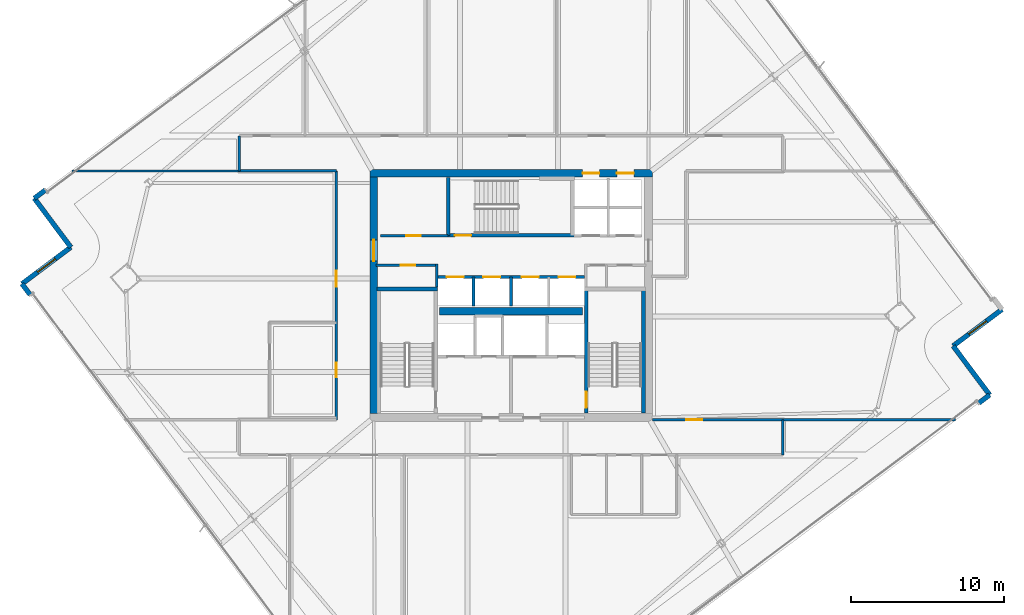
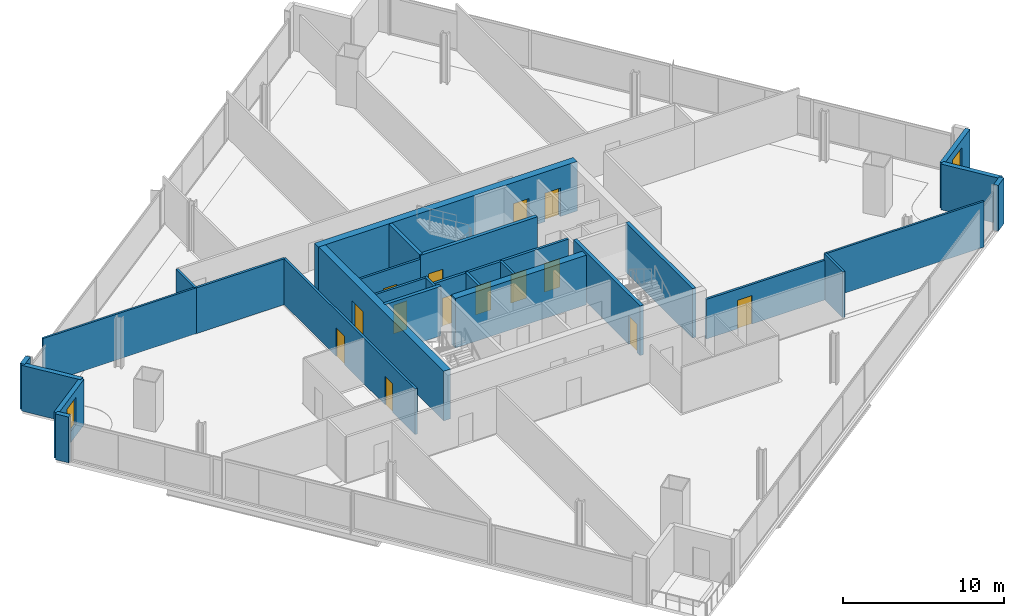
# One storey, part 25 of 32: 28 walls, 14 doors, 2 windows, 16 openings.
"""IFC4 building model written with IfcOpenShell, lengths in metres."""

from ifc_helpers import new_model, si_unit, direction, frame, frame_2d, origin, place, context, subcontext, project, spatial, rectangle, extrude, material, layer, layer_set, type_object, element, fill, save


model = new_model("IFC4")

# Units and contexts
model_context = context("Model", 3, precision=1e-05, world=origin(), true_north=direction((0.0, 1.0)))
body_context = subcontext(model_context, "Body", "Model", "MODEL_VIEW")
ifc_project = project(units=[si_unit("LENGTHUNIT", "METRE"), si_unit("AREAUNIT", "SQUARE_METRE"), si_unit("VOLUMEUNIT", "CUBIC_METRE"), si_unit("PLANEANGLEUNIT", "RADIAN"), si_unit("MASSUNIT", "GRAM", prefix="KILO")], contexts=[model_context])

# Site, building, storey
site_placement = place(None, origin())
site = spatial("IfcSite", under=ifc_project, at=site_placement, CompositionType="ELEMENT")
building_placement = place(site_placement, origin())
building = spatial("IfcBuilding", under=site, at=building_placement, Name="Haldenkirk Collegiate Tower", CompositionType="ELEMENT")
storey_placement = place(building_placement, frame((0.0, 0.0, 151.949951171875)))
storey = spatial("IfcBuildingStorey", under=building, at=storey_placement, Name="L37", CompositionType="ELEMENT", Elevation=151.949951171875)

# Wall, openings, doors
ifc_material_1 = material(Name="Concrete f'c 55 MPa", Category="concrete")
ifc_layer_1 = layer(ifc_material_1, 0.5)
ifc_layer_set_1 = layer_set([ifc_layer_1], Name="Concrete f'c 55 MPa")
wall_type_1 = type_object("IfcWallType", Name="WL-CORE-500", PredefinedType="SHEAR", material=ifc_layer_set_1)
wall_1_placement = place(storey_placement, frame((26.75, 34.0, 0.0), z_axis=(0.0, 0.0, 1.0), x_axis=(1.0, 0.0, 0.0)))
wall_1 = element("IfcWall", 1, at=wall_1_placement, inside=storey, type_object=wall_type_1, Name="L37 central core shear wall N", PredefinedType="SHEAR", context=body_context, shape_type="SweptSolid", body=[
    extrude(rectangle(XDim=18.5, YDim=0.5, at=frame_2d((9.25, 0.0))), origin(), (0.0, 0.0, 1.0), 3.75),
])
opening_1_placement = place(wall_1_placement, frame((13.93505859375, 0.0, 0.0)))
opening_1 = element("IfcOpeningElement", 2, at=opening_1_placement, cuts=wall_1, Name="Opening LD-11", PredefinedType="OPENING", context=body_context, shape_type="SweptSolid", body=[
    extrude(rectangle(XDim=1.10009765625, YDim=2.14990234375, at=frame_2d((0.550048828125, 1.074951171875))), frame((0.0, 0.260009765625, 0.0), z_axis=(0.0, -1.0, 0.0), x_axis=(1.0, 0.0, 0.0)), (0.0, 0.0, 1.0), 0.52001953125),
])
opening_2_placement = place(wall_1_placement, frame((16.18505859375, 0.0, 0.0)))
opening_2 = element("IfcOpeningElement", 3, at=opening_2_placement, cuts=wall_1, Name="Opening LD-11", PredefinedType="OPENING", context=body_context, shape_type="SweptSolid", body=[
    extrude(rectangle(XDim=1.10009765625, YDim=2.14990234375, at=frame_2d((0.550048828125, 1.074951171875))), frame((0.0, 0.260009765625, 0.0), z_axis=(0.0, -1.0, 0.0), x_axis=(1.0, 0.0, 0.0)), (0.0, 0.0, 1.0), 0.52001953125),
])
ifc_material_2 = material(Name="Brushed architectural stainless steel", Category="steel")
ifc_layer_2 = layer(ifc_material_2, 0.06005859375)
ifc_layer_set_2 = layer_set([ifc_layer_2], Name="Brushed architectural stainless steel")
door_type_1 = type_object("IfcDoorType", Name="LD-PASS-1100", OperationType="NOTDEFINED", PredefinedType="DOOR", material=ifc_layer_set_2)
door_1_placement = place(opening_1_placement, origin())
door_1 = element("IfcDoor", 4, at=door_1_placement, inside=storey, type_object=door_type_1, Name="L37 Elevator PM3 sliding landing door", OperationType="SLIDING_TO_LEFT", OverallHeight=2.14990234375, OverallWidth=1.10009765625, PredefinedType="DOOR", context=body_context, shape_type="SweptSolid", body=[
    extrude(rectangle(XDim=1.10009765625, YDim=2.14990234375, at=frame_2d((0.550048828125, 1.074951171875))), frame((0.0, 0.02490234375, 0.0), z_axis=(0.0, -1.0, 0.0), x_axis=(1.0, 0.0, 0.0)), (0.0, 0.0, 1.0), 0.050048828125),
])
fill(opening_1, door_1)
door_2_placement = place(opening_2_placement, origin())
door_2 = element("IfcDoor", 5, at=door_2_placement, inside=storey, type_object=door_type_1, Name="L37 Elevator PM4 sliding landing door", OperationType="SLIDING_TO_LEFT", OverallHeight=2.14990234375, OverallWidth=1.10009765625, PredefinedType="DOOR", context=body_context, shape_type="SweptSolid", body=[
    extrude(rectangle(XDim=1.10009765625, YDim=2.14990234375, at=frame_2d((0.550048828125, 1.074951171875))), frame((0.0, 0.02490234375, 0.0), z_axis=(0.0, -1.0, 0.0), x_axis=(1.0, 0.0, 0.0)), (0.0, 0.0, 1.0), 0.050048828125),
])
fill(opening_2, door_2)

# Wall, opening, door
wall_2_placement = place(storey_placement, frame((27.0, 18.25, 0.0), z_axis=(0.0, 0.0, 1.0), x_axis=(0.0, 1.0, 0.0)))
wall_2 = element("IfcWall", 6, at=wall_2_placement, inside=storey, type_object=wall_type_1, Name="L37 central core shear wall W", PredefinedType="SHEAR", context=body_context, shape_type="SweptSolid", body=[
    extrude(rectangle(XDim=15.5, YDim=0.5, at=frame_2d((7.75, 0.0))), origin(), (0.0, 0.0, 1.0), 3.75),
])
opening_3_placement = place(wall_2_placement, frame((9.989990234375, 0.0, 0.0)))
opening_3 = element("IfcOpeningElement", 7, at=opening_3_placement, cuts=wall_2, Name="Opening D-03", PredefinedType="OPENING", context=body_context, shape_type="SweptSolid", body=[
    extrude(rectangle(XDim=1.39990234375, YDim=2.199951171875, at=frame_2d((0.699951171875, 1.10009765625))), frame((0.0, 0.260009765625, 0.0), z_axis=(0.0, -1.0, 0.0), x_axis=(1.0, 0.0, 0.0)), (0.0, 0.0, 1.0), 0.52001953125),
])
ifc_material_3 = material(Name="Galvanized fire-rated hollow steel door", Category="steel")
ifc_layer_3 = layer(ifc_material_3, 0.06005859375)
ifc_layer_set_3 = layer_set([ifc_layer_3], Name="Galvanized fire-rated hollow steel door")
door_type_2 = type_object("IfcDoorType", Name="DR-LOBBY-FD90-1400", OperationType="NOTDEFINED", PredefinedType="DOOR", material=ifc_layer_set_3)
door_3_placement = place(opening_3_placement, origin())
door_3 = element("IfcDoor", 8, at=door_3_placement, inside=storey, type_object=door_type_2, Name="L37 west lift lobby portal", OperationType="DOUBLE_DOOR_SINGLE_SWING", OverallHeight=2.199951171875, OverallWidth=1.39990234375, PredefinedType="DOOR", context=body_context, shape_type="SweptSolid", body=[
    extrude(rectangle(XDim=1.39990234375, YDim=2.199951171875, at=frame_2d((0.699951171875, 1.10009765625))), frame((0.0, 0.02490234375, 0.0), z_axis=(0.0, -1.0, 0.0), x_axis=(1.0, 0.0, 0.0)), (0.0, 0.0, 1.0), 0.050048828125),
])
fill(opening_3, door_3)

# Walls
wall_3_placement = place(storey_placement, frame((31.31005859375, 24.949951171875, 0.0), z_axis=(0.0, 0.0, 1.0), x_axis=(1.0, 0.0, 0.0)))
element("IfcWall", 9, at=wall_3_placement, inside=storey, type_object=wall_type_1, Name="L37 central core spine shear wall", PredefinedType="SHEAR", context=body_context, shape_type="SweptSolid", body=[
    extrude(rectangle(XDim=9.3798828125, YDim=0.5, at=frame_2d((4.68994140625, 0.0))), origin(), (0.0, 0.0, 1.0), 3.75),
])
ifc_material_4 = material(Name="Precast concrete f'c 40 MPa", Category="concrete")
ifc_layer_4 = layer(ifc_material_4, 0.320068359375)
ifc_layer_set_4 = layer_set([ifc_layer_4], Name="Precast concrete f'c 40 MPa")
wall_type_2 = type_object("IfcWallType", Name="WL-EXT-TWR-320", PredefinedType="STANDARD", material=ifc_layer_set_4)
wall_4_placement = place(storey_placement, frame((67.35205078125, 19.481689453125, 0.0), z_axis=(0.0, 0.0, 1.0), x_axis=(-0.80078057117, -0.598957825591, 0.0)))
element("IfcWall", 10, at=wall_4_placement, inside=storey, type_object=wall_type_2, Name="L37 precast corner pier SL", PredefinedType="STANDARD", context=body_context, shape_type="SweptSolid", body=[
    extrude(rectangle(XDim=0.89990234375, YDim=0.320068359375, at=frame_2d((0.449951171875, 0.0))), origin(), (0.0, 0.0, 1.0), 3.4599609375),
])
wall_5_placement = place(storey_placement, frame((64.9560546875, 22.684814453125, 0.0), z_axis=(0.0, 0.0, 1.0), x_axis=(0.598983917125, -0.800761054888, 0.0)))
element("IfcWall", 11, at=wall_5_placement, inside=storey, type_object=wall_type_2, Name="L37 bronze precast notch wall 02", PredefinedType="STANDARD", context=body_context, shape_type="SweptSolid", body=[
    extrude(rectangle(XDim=4.0, YDim=0.320068359375, at=frame_2d((2.0, 0.0))), origin(), (0.0, 0.0, 1.0), 3.4599609375),
])

# Wall, opening, window
wall_6_placement = place(storey_placement, frame((68.158935546875, 25.080810546875, 0.0), z_axis=(0.0, 0.0, 1.0), x_axis=(-0.800739155536, -0.599013192502, 0.0)))
wall_6 = element("IfcWall", 12, at=wall_6_placement, inside=storey, type_object=wall_type_2, Name="L37 bronze precast notch wall 03", PredefinedType="STANDARD", context=body_context, shape_type="SweptSolid", body=[
    extrude(rectangle(XDim=4.0, YDim=0.320068359375, at=frame_2d((2.0, 0.0))), origin(), (0.0, 0.0, 1.0), 3.4599609375),
])
opening_4_placement = place(wall_6_placement, frame((1.27490234375, 0.0, 0.85009765625)))
opening_4 = element("IfcOpeningElement", 13, at=opening_4_placement, cuts=wall_6, Name="Opening W-05", PredefinedType="OPENING", context=body_context, shape_type="SweptSolid", body=[
    extrude(rectangle(XDim=1.449951171875, YDim=2.050048828125, at=frame_2d((0.72509765625, 1.02490234375))), frame((0.0, 0.169921875, 0.0), z_axis=(0.0, -1.0, 0.0), x_axis=(1.0, 0.0, 0.0)), (0.0, 0.0, 1.0), 0.340087890625),
])
ifc_material_5 = material(Name="Low-E argon triple insulating glass", Category="glass")
ifc_layer_5 = layer(ifc_material_5, 0.090087890625)
ifc_layer_set_5 = layer_set([ifc_layer_5], Name="Low-E argon triple insulating glass")
window_type = type_object("IfcWindowType", Name="WN-Z3-1450X2050", PartitioningType="SINGLE_PANEL", PredefinedType="WINDOW", material=ifc_layer_set_5)
window_1_placement = place(opening_4_placement, origin())
window_1 = element("IfcWindow", 14, at=window_1_placement, inside=storey, type_object=window_type, Name="L37 precast-frame academic window 2", OverallHeight=2.050048828125, OverallWidth=1.449951171875, PartitioningType="SINGLE_PANEL", PredefinedType="WINDOW", context=body_context, shape_type="SweptSolid", body=[
    extrude(rectangle(XDim=1.449951171875, YDim=2.050048828125, at=frame_2d((0.72509765625, 1.02490234375))), frame((0.0, 0.030029296875, 0.0), z_axis=(0.0, -1.0, 0.0), x_axis=(1.0, 0.0, 0.0)), (0.0, 0.0, 1.0), 0.06005859375),
])
fill(opening_4, window_1)

# Walls
wall_7_placement = place(storey_placement, frame((4.767578125, 32.358154296875, 0.0), z_axis=(0.0, 0.0, 1.0), x_axis=(0.80078057117, 0.598957825591, 0.0)))
element("IfcWall", 15, at=wall_7_placement, inside=storey, type_object=wall_type_2, Name="L37 precast corner pier NL", PredefinedType="STANDARD", context=body_context, shape_type="SweptSolid", body=[
    extrude(rectangle(XDim=0.89990234375, YDim=0.320068359375, at=frame_2d((0.449951171875, 0.0))), origin(), (0.0, 0.0, 1.0), 3.4599609375),
])
wall_8_placement = place(storey_placement, frame((7.163818359375, 29.1552734375, 0.0), z_axis=(0.0, 0.0, 1.0), x_axis=(-0.599052325998, 0.800709879243, 0.0)))
element("IfcWall", 16, at=wall_8_placement, inside=storey, type_object=wall_type_2, Name="L37 bronze precast notch wall 08", PredefinedType="STANDARD", context=body_context, shape_type="SweptSolid", body=[
    extrude(rectangle(XDim=4.0, YDim=0.320068359375, at=frame_2d((2.0, 0.0))), origin(), (0.0, 0.0, 1.0), 3.4599609375),
])

# Wall, opening, window
wall_9_placement = place(storey_placement, frame((3.9609375, 26.759033203125, 0.0), z_axis=(0.0, 0.0, 1.0), x_axis=(0.800709879243, 0.599052325998, 0.0)))
wall_9 = element("IfcWall", 17, at=wall_9_placement, inside=storey, type_object=wall_type_2, Name="L37 bronze precast notch wall 09", PredefinedType="STANDARD", context=body_context, shape_type="SweptSolid", body=[
    extrude(rectangle(XDim=4.0, YDim=0.320068359375, at=frame_2d((2.0, 0.0))), origin(), (0.0, 0.0, 1.0), 3.4599609375),
])
opening_5_placement = place(wall_9_placement, frame((1.27490234375, 0.0, 0.85009765625)))
opening_5 = element("IfcOpeningElement", 18, at=opening_5_placement, cuts=wall_9, Name="Opening W-05", PredefinedType="OPENING", context=body_context, shape_type="SweptSolid", body=[
    extrude(rectangle(XDim=1.449951171875, YDim=2.050048828125, at=frame_2d((0.72509765625, 1.02490234375))), frame((0.0, 0.169921875, 0.0), z_axis=(0.0, -1.0, 0.0), x_axis=(1.0, 0.0, 0.0)), (0.0, 0.0, 1.0), 0.340087890625),
])
window_2_placement = place(opening_5_placement, origin())
window_2 = element("IfcWindow", 19, at=window_2_placement, inside=storey, type_object=window_type, Name="L37 precast-frame academic window 8", OverallHeight=2.050048828125, OverallWidth=1.449951171875, PartitioningType="SINGLE_PANEL", PredefinedType="WINDOW", context=body_context, shape_type="SweptSolid", body=[
    extrude(rectangle(XDim=1.449951171875, YDim=2.050048828125, at=frame_2d((0.72509765625, 1.02490234375))), frame((0.0, 0.030029296875, 0.0), z_axis=(0.0, -1.0, 0.0), x_axis=(1.0, 0.0, 0.0)), (0.0, 0.0, 1.0), 0.06005859375),
])
fill(opening_5, window_2)

# Wall
wall_10_placement = place(storey_placement, frame((4.5, 26.038330078125, 0.0), z_axis=(0.0, 0.0, 1.0), x_axis=(-0.598957825591, 0.80078057117, 0.0)))
element("IfcWall", 20, at=wall_10_placement, inside=storey, type_object=wall_type_2, Name="L37 precast corner pier WR", PredefinedType="STANDARD", context=body_context, shape_type="SweptSolid", body=[
    extrude(rectangle(XDim=0.89990234375, YDim=0.320068359375, at=frame_2d((0.449951171875, 0.0))), origin(), (0.0, 0.0, 1.0), 3.4599609375),
])

# Wall, opening, door
ifc_material_6 = material(Name="Acoustic fire-rated gypsum partition", Category="concrete")
ifc_layer_6 = layer(ifc_material_6, 0.159912109375)
ifc_layer_set_6 = layer_set([ifc_layer_6], Name="Acoustic fire-rated gypsum partition")
wall_type_3 = type_object("IfcWallType", Name="WL-INT-CORR-160", PredefinedType="PARTITIONING", material=ifc_layer_set_6)
wall_11_placement = place(storey_placement, frame((27.14990234375, 27.97998046875, 0.0), z_axis=(0.0, 0.0, 1.0), x_axis=(1.0, 0.0, 0.0)))
wall_11 = element("IfcWall", 21, at=wall_11_placement, inside=storey, type_object=wall_type_3, Name="L37 interior partition IW-L37-VCSW-N", PredefinedType="PARTITIONING", context=body_context, shape_type="SweptSolid", body=[
    extrude(rectangle(XDim=4.050048828125, YDim=0.159912109375, at=frame_2d((2.02490234375, 0.0))), origin(), (0.0, 0.0, 1.0), 3.4599609375),
])
opening_6_placement = place(wall_11_placement, frame((1.625, 0.0, 0.0)))
opening_6 = element("IfcOpeningElement", 22, at=opening_6_placement, cuts=wall_11, Name="Opening D-10", PredefinedType="OPENING", context=body_context, shape_type="SweptSolid", body=[
    extrude(rectangle(XDim=0.949951171875, YDim=2.14990234375, at=frame_2d((0.47509765625, 1.074951171875))), frame((0.0, 0.08984375, 0.0), z_axis=(0.0, -1.0, 0.0), x_axis=(1.0, 0.0, 0.0)), (0.0, 0.0, 1.0), 0.179931640625),
])
ifc_material_7 = material(Name="Solid-core architectural oak fire door", Category="wood")
ifc_layer_7 = layer(ifc_material_7, 0.06005859375)
ifc_layer_set_7 = layer_set([ifc_layer_7], Name="Solid-core architectural oak fire door")
door_type_3 = type_object("IfcDoorType", Name="DR-INT-FD60-950", OperationType="NOTDEFINED", PredefinedType="DOOR", material=ifc_layer_set_7)
door_4_placement = place(opening_6_placement, origin())
door_4 = element("IfcDoor", 23, at=door_4_placement, inside=storey, type_object=door_type_3, Name="L37 core tea pantry door", OperationType="SINGLE_SWING_LEFT", OverallHeight=2.14990234375, OverallWidth=0.949951171875, PredefinedType="DOOR", context=body_context, shape_type="SweptSolid", body=[
    extrude(rectangle(XDim=0.949951171875, YDim=2.14990234375, at=frame_2d((0.47509765625, 1.074951171875))), frame((0.0, 0.02490234375, 0.0), z_axis=(0.0, -1.0, 0.0), x_axis=(1.0, 0.0, 0.0)), (0.0, 0.0, 1.0), 0.050048828125),
])
fill(opening_6, door_4)

# Wall
wall_12_placement = place(storey_placement, frame((31.1201171875, 26.5400390625, 0.0), z_axis=(0.0, 0.0, 1.0), x_axis=(0.0, 1.0, 0.0)))
element("IfcWall", 24, at=wall_12_placement, inside=storey, type_object=wall_type_3, Name="L37 interior partition IW-L37-VCSW-E", PredefinedType="PARTITIONING", context=body_context, shape_type="SweptSolid", body=[
    extrude(rectangle(XDim=1.510009765625, YDim=0.159912109375, at=frame_2d((0.7548828125, 0.0))), origin(), (0.0, 0.0, 1.0), 3.4599609375),
])

# Wall, opening, door
wall_13_placement = place(storey_placement, frame((27.449951171875, 29.89990234375, 0.0), z_axis=(0.0, 0.0, 1.0), x_axis=(1.0, 0.0, 0.0)))
wall_13 = element("IfcWall", 25, at=wall_13_placement, inside=storey, type_object=wall_type_3, Name="L37 interior partition IW-L37-PLS", PredefinedType="PARTITIONING", context=body_context, shape_type="SweptSolid", body=[
    extrude(rectangle(XDim=4.429931640625, YDim=0.159912109375, at=frame_2d((2.21484375, 0.0))), origin(), (0.0, 0.0, 1.0), 3.4599609375),
])
opening_7_placement = place(wall_13_placement, frame((1.675048828125, 0.0, 0.0)))
opening_7 = element("IfcOpeningElement", 26, at=opening_7_placement, cuts=wall_13, Name="Opening D-10", PredefinedType="OPENING", context=body_context, shape_type="SweptSolid", body=[
    extrude(rectangle(XDim=0.949951171875, YDim=2.14990234375, at=frame_2d((0.47509765625, 1.074951171875))), frame((0.0, 0.08984375, 0.0), z_axis=(0.0, -1.0, 0.0), x_axis=(1.0, 0.0, 0.0)), (0.0, 0.0, 1.0), 0.179931640625),
])
door_5_placement = place(opening_7_placement, origin())
door_5 = element("IfcDoor", 27, at=door_5_placement, inside=storey, type_object=door_type_3, Name="L37 archive door", OperationType="SINGLE_SWING_RIGHT", OverallHeight=2.14990234375, OverallWidth=0.949951171875, PredefinedType="DOOR", context=body_context, shape_type="SweptSolid", body=[
    extrude(rectangle(XDim=0.949951171875, YDim=2.14990234375, at=frame_2d((0.47509765625, 1.074951171875))), frame((0.0, 0.02490234375, 0.0), z_axis=(0.0, -1.0, 0.0), x_axis=(1.0, 0.0, 0.0)), (0.0, 0.0, 1.0), 0.050048828125),
])
fill(opening_7, door_5)

wall_14_placement = place(storey_placement, frame((45.25, 17.85009765625, 0.0), z_axis=(0.0, 0.0, 1.0), x_axis=(1.0, 0.0, 0.0)))
wall_14 = element("IfcWall", 28, at=wall_14_placement, inside=storey, type_object=wall_type_3, Name="L37 interior partition IW-L37-CSE", PredefinedType="PARTITIONING", context=body_context, shape_type="SweptSolid", body=[
    extrude(rectangle(XDim=8.550048828125, YDim=0.159912109375, at=frame_2d((4.27490234375, 0.0))), origin(), (0.0, 0.0, 1.0), 2.998046875),
])
opening_8_placement = place(wall_14_placement, frame((2.2109375, 0.0, 0.0)))
opening_8 = element("IfcOpeningElement", 29, at=opening_8_placement, cuts=wall_14, Name="Opening D-09", PredefinedType="OPENING", context=body_context, shape_type="SweptSolid", body=[
    extrude(rectangle(XDim=1.050048828125, YDim=2.14990234375, at=frame_2d((0.52490234375, 1.074951171875))), frame((0.0, 0.08984375, 0.0), z_axis=(0.0, -1.0, 0.0), x_axis=(1.0, 0.0, 0.0)), (0.0, 0.0, 1.0), 0.179931640625),
])
ifc_layer_8 = layer(ifc_material_7, 0.06005859375)
ifc_layer_set_8 = layer_set([ifc_layer_8], Name="Solid-core architectural oak fire door")
door_type_4 = type_object("IfcDoorType", Name="DR-INT-FD60-1050", OperationType="NOTDEFINED", PredefinedType="DOOR", material=ifc_layer_set_8)
door_6_placement = place(opening_8_placement, origin())
door_6 = element("IfcDoor", 30, at=door_6_placement, inside=storey, type_object=door_type_4, Name="L37 Graduate Seminar Room 10 door", OperationType="SINGLE_SWING_LEFT", OverallHeight=2.14990234375, OverallWidth=1.050048828125, PredefinedType="DOOR", context=body_context, shape_type="SweptSolid", body=[
    extrude(rectangle(XDim=1.050048828125, YDim=2.14990234375, at=frame_2d((0.52490234375, 1.074951171875))), frame((0.0, 0.02490234375, 0.0), z_axis=(0.0, -1.0, 0.0), x_axis=(1.0, 0.0, 0.0)), (0.0, 0.0, 1.0), 0.050048828125),
])
fill(opening_8, door_6)

# Wall
wall_15_placement = place(storey_placement, frame((18.199951171875, 34.14990234375, 0.0), z_axis=(0.0, 0.0, 1.0), x_axis=(1.0, 0.0, 0.0)))
element("IfcWall", 31, at=wall_15_placement, inside=storey, type_object=wall_type_3, Name="L37 interior partition IW-L37-CNW", PredefinedType="PARTITIONING", context=body_context, shape_type="SweptSolid", body=[
    extrude(rectangle(XDim=6.35009765625, YDim=0.159912109375, at=frame_2d((3.175048828125, 0.0))), origin(), (0.0, 0.0, 1.0), 3.4599609375),
])

# Wall, openings, doors
wall_16_placement = place(storey_placement, frame((24.550048828125, 17.85009765625, 0.0), z_axis=(0.0, 0.0, 1.0), x_axis=(0.0, 1.0, 0.0)))
wall_16 = element("IfcWall", 32, at=wall_16_placement, inside=storey, type_object=wall_type_3, Name="L37 interior partition IW-L37-CW", PredefinedType="PARTITIONING", context=body_context, shape_type="SweptSolid", body=[
    extrude(rectangle(XDim=16.2998046875, YDim=0.159912109375, at=frame_2d((8.14990234375, 0.0))), origin(), (0.0, 0.0, 1.0), 3.4599609375),
])
opening_9_placement = place(wall_16_placement, frame((2.77490234375, 0.0, 0.0)))
opening_9 = element("IfcOpeningElement", 33, at=opening_9_placement, cuts=wall_16, Name="Opening D-10", PredefinedType="OPENING", context=body_context, shape_type="SweptSolid", body=[
    extrude(rectangle(XDim=0.949951171875, YDim=2.14990234375, at=frame_2d((0.47509765625, 1.074951171875))), frame((0.0, 0.08984375, 0.0), z_axis=(0.0, -1.0, 0.0), x_axis=(1.0, 0.0, 0.0)), (0.0, 0.0, 1.0), 0.179931640625),
])
opening_10_placement = place(wall_16_placement, frame((8.72900390625, 0.0, 0.0)))
opening_10 = element("IfcOpeningElement", 34, at=opening_10_placement, cuts=wall_16, Name="Opening D-09", PredefinedType="OPENING", context=body_context, shape_type="SweptSolid", body=[
    extrude(rectangle(XDim=1.050048828125, YDim=2.14990234375, at=frame_2d((0.52490234375, 1.074951171875))), frame((0.0, 0.08984375, 0.0), z_axis=(0.0, -1.0, 0.0), x_axis=(1.0, 0.0, 0.0)), (0.0, 0.0, 1.0), 0.179931640625),
])
door_7_placement = place(opening_10_placement, origin())
door_7 = element("IfcDoor", 35, at=door_7_placement, inside=storey, type_object=door_type_4, Name="L37 Health Triage Clinic 9 door", OperationType="SINGLE_SWING_RIGHT", OverallHeight=2.14990234375, OverallWidth=1.050048828125, PredefinedType="DOOR", context=body_context, shape_type="SweptSolid", body=[
    extrude(rectangle(XDim=1.050048828125, YDim=2.14990234375, at=frame_2d((0.52490234375, 1.074951171875))), frame((0.0, 0.02490234375, 0.0), z_axis=(0.0, -1.0, 0.0), x_axis=(1.0, 0.0, 0.0)), (0.0, 0.0, 1.0), 0.050048828125),
])
fill(opening_10, door_7)
door_8_placement = place(opening_9_placement, origin())
door_8 = element("IfcDoor", 36, at=door_8_placement, inside=storey, type_object=door_type_3, Name="L37 West Faculty Tutorial Pod corridor door", OperationType="SINGLE_SWING_RIGHT", OverallHeight=2.14990234375, OverallWidth=0.949951171875, PredefinedType="DOOR", context=body_context, shape_type="SweptSolid", body=[
    extrude(rectangle(XDim=0.949951171875, YDim=2.14990234375, at=frame_2d((0.47509765625, 1.074951171875))), frame((0.0, 0.02490234375, 0.0), z_axis=(0.0, -1.0, 0.0), x_axis=(1.0, 0.0, 0.0)), (0.0, 0.0, 1.0), 0.050048828125),
])
fill(opening_9, door_8)

# Walls
for number, where, z_axis, x_axis, name in (
    (37, (53.800048828125, 15.550048828125, 0.0), (0.0, 0.0, 1.0), (0.0, 1.0, 0.0), "L37 interior partition IW-L37-CSR"),
    (38, (18.199951171875, 34.14990234375, 0.0), (0.0, 0.0, 1.0), (0.0, 1.0, 0.0), "L37 interior partition IW-L37-CNL"),
):
    element("IfcWall", number, at=place(storey_placement, frame(where, z_axis=z_axis, x_axis=x_axis)), inside=storey, type_object=wall_type_3, Name=name, PredefinedType="PARTITIONING", context=body_context, shape_type="SweptSolid", body=[
        extrude(rectangle(XDim=2.300048828125, YDim=0.159912109375, at=frame_2d((1.14990234375, 0.0))), origin(), (0.0, 0.0, 1.0), 3.4599609375),
    ])
ifc_layer_9 = layer(ifc_material_6, 0.139892578125)
ifc_layer_set_9 = layer_set([ifc_layer_9], Name="Acoustic fire-rated gypsum partition")
wall_type_4 = type_object("IfcWallType", Name="WL-INT-DIV-140", PredefinedType="PARTITIONING", material=ifc_layer_set_9)
wall_17_placement = place(storey_placement, frame((7.229736328125, 34.14990234375, 0.0), z_axis=(0.0, 0.0, 1.0), x_axis=(1.0, 0.0, 0.0)))
element("IfcWall", 39, at=wall_17_placement, inside=storey, type_object=wall_type_4, Name="L37 interior partition IW-L37-BWN", PredefinedType="PARTITIONING", context=body_context, shape_type="SweptSolid", body=[
    extrude(rectangle(XDim=10.97021484375, YDim=0.139892578125, at=frame_2d((5.485107421875, 0.0))), origin(), (0.0, 0.0, 1.0), 3.4599609375),
])
wall_18_placement = place(storey_placement, frame((53.800048828125, 17.85009765625, 0.0), z_axis=(0.0, 0.0, 1.0), x_axis=(1.0, 0.0, 0.0)))
element("IfcWall", 40, at=wall_18_placement, inside=storey, type_object=wall_type_4, Name="L37 interior partition IW-L37-BES", PredefinedType="PARTITIONING", context=body_context, shape_type="SweptSolid", body=[
    extrude(rectangle(XDim=11.30419921875, YDim=0.139892578125, at=frame_2d((5.652099609375, 0.0))), origin(), (0.0, 0.0, 1.0), 3.4599609375),
])

# Wall, openings, doors
ifc_material_8 = material(Name="Fire-rated gypsum shaftboard assembly", Category="concrete")
ifc_layer_10 = layer(ifc_material_8, 0.179931640625)
ifc_layer_set_10 = layer_set([ifc_layer_10], Name="Fire-rated gypsum shaftboard assembly")
wall_type_5 = type_object("IfcWallType", Name="WL-INT-SHAFT-180", PredefinedType="PARTITIONING", material=ifc_layer_set_10)
wall_19_placement = place(storey_placement, frame((31.199951171875, 27.199951171875, 0.0), z_axis=(0.0, 0.0, 1.0), x_axis=(1.0, 0.0, 0.0)))
wall_19 = element("IfcWall", 41, at=wall_19_placement, inside=storey, type_object=wall_type_5, Name="L37 interior partition IW-L37-PHN", PredefinedType="PARTITIONING", context=body_context, shape_type="SweptSolid", body=[
    extrude(rectangle(XDim=9.60009765625, YDim=0.179931640625, at=frame_2d((4.800048828125, 0.0))), origin(), (0.0, 0.0, 1.0), 3.4599609375),
])
opening_11_placement = place(wall_19_placement, frame((0.590087890625, 0.0, 0.0)))
opening_11 = element("IfcOpeningElement", 42, at=opening_11_placement, cuts=wall_19, Name="Opening LD-11", PredefinedType="OPENING", context=body_context, shape_type="SweptSolid", body=[
    extrude(rectangle(XDim=1.10009765625, YDim=2.14990234375, at=frame_2d((0.550048828125, 1.074951171875))), frame((0.0, 0.099853515625, 0.0), z_axis=(0.0, -1.0, 0.0), x_axis=(1.0, 0.0, 0.0)), (0.0, 0.0, 1.0), 0.199951171875),
])
opening_12_placement = place(wall_19_placement, frame((2.989990234375, 0.0, 0.0)))
opening_12 = element("IfcOpeningElement", 43, at=opening_12_placement, cuts=wall_19, Name="Opening LD-11", PredefinedType="OPENING", context=body_context, shape_type="SweptSolid", body=[
    extrude(rectangle(XDim=1.10009765625, YDim=2.14990234375, at=frame_2d((0.550048828125, 1.074951171875))), frame((0.0, 0.099853515625, 0.0), z_axis=(0.0, -1.0, 0.0), x_axis=(1.0, 0.0, 0.0)), (0.0, 0.0, 1.0), 0.199951171875),
])
opening_13_placement = place(wall_19_placement, frame((5.510009765625, 0.0, 0.0)))
opening_13 = element("IfcOpeningElement", 44, at=opening_13_placement, cuts=wall_19, Name="Opening LD-11", PredefinedType="OPENING", context=body_context, shape_type="SweptSolid", body=[
    extrude(rectangle(XDim=1.10009765625, YDim=2.14990234375, at=frame_2d((0.550048828125, 1.074951171875))), frame((0.0, 0.099853515625, 0.0), z_axis=(0.0, -1.0, 0.0), x_axis=(1.0, 0.0, 0.0)), (0.0, 0.0, 1.0), 0.199951171875),
])
opening_14_placement = place(wall_19_placement, frame((7.909912109375, 0.0, 0.0)))
opening_14 = element("IfcOpeningElement", 45, at=opening_14_placement, cuts=wall_19, Name="Opening LD-11", PredefinedType="OPENING", context=body_context, shape_type="SweptSolid", body=[
    extrude(rectangle(XDim=1.10009765625, YDim=2.14990234375, at=frame_2d((0.550048828125, 1.074951171875))), frame((0.0, 0.099853515625, 0.0), z_axis=(0.0, -1.0, 0.0), x_axis=(1.0, 0.0, 0.0)), (0.0, 0.0, 1.0), 0.199951171875),
])
door_9_placement = place(opening_11_placement, origin())
door_9 = element("IfcDoor", 46, at=door_9_placement, inside=storey, type_object=door_type_1, Name="L37 Elevator PH1 sliding landing door", OperationType="SLIDING_TO_LEFT", OverallHeight=2.14990234375, OverallWidth=1.10009765625, PredefinedType="DOOR", context=body_context, shape_type="SweptSolid", body=[
    extrude(rectangle(XDim=1.10009765625, YDim=2.14990234375, at=frame_2d((0.550048828125, 1.074951171875))), frame((0.0, 0.02490234375, 0.0), z_axis=(0.0, -1.0, 0.0), x_axis=(1.0, 0.0, 0.0)), (0.0, 0.0, 1.0), 0.050048828125),
])
fill(opening_11, door_9)
door_10_placement = place(opening_12_placement, origin())
door_10 = element("IfcDoor", 47, at=door_10_placement, inside=storey, type_object=door_type_1, Name="L37 Elevator PH2 sliding landing door", OperationType="SLIDING_TO_LEFT", OverallHeight=2.14990234375, OverallWidth=1.10009765625, PredefinedType="DOOR", context=body_context, shape_type="SweptSolid", body=[
    extrude(rectangle(XDim=1.10009765625, YDim=2.14990234375, at=frame_2d((0.550048828125, 1.074951171875))), frame((0.0, 0.02490234375, 0.0), z_axis=(0.0, -1.0, 0.0), x_axis=(1.0, 0.0, 0.0)), (0.0, 0.0, 1.0), 0.050048828125),
])
fill(opening_12, door_10)
door_11_placement = place(opening_13_placement, origin())
door_11 = element("IfcDoor", 48, at=door_11_placement, inside=storey, type_object=door_type_1, Name="L37 Elevator PH3 sliding landing door", OperationType="SLIDING_TO_LEFT", OverallHeight=2.14990234375, OverallWidth=1.10009765625, PredefinedType="DOOR", context=body_context, shape_type="SweptSolid", body=[
    extrude(rectangle(XDim=1.10009765625, YDim=2.14990234375, at=frame_2d((0.550048828125, 1.074951171875))), frame((0.0, 0.02490234375, 0.0), z_axis=(0.0, -1.0, 0.0), x_axis=(1.0, 0.0, 0.0)), (0.0, 0.0, 1.0), 0.050048828125),
])
fill(opening_13, door_11)
door_12_placement = place(opening_14_placement, origin())
door_12 = element("IfcDoor", 49, at=door_12_placement, inside=storey, type_object=door_type_1, Name="L37 Elevator PH4 sliding landing door", OperationType="SLIDING_TO_LEFT", OverallHeight=2.14990234375, OverallWidth=1.10009765625, PredefinedType="DOOR", context=body_context, shape_type="SweptSolid", body=[
    extrude(rectangle(XDim=1.10009765625, YDim=2.14990234375, at=frame_2d((0.550048828125, 1.074951171875))), frame((0.0, 0.02490234375, 0.0), z_axis=(0.0, -1.0, 0.0), x_axis=(1.0, 0.0, 0.0)), (0.0, 0.0, 1.0), 0.050048828125),
])
fill(opening_14, door_12)

# Walls
for number, where, z_axis, x_axis, name in (
    (50, (33.5400390625, 25.300048828125, 0.0), (0.0, 0.0, 1.0), (0.0, 1.0, 0.0), "L37 interior partition IW-L37-PHV1"),
    (51, (36.0, 25.300048828125, 0.0), (0.0, 0.0, 1.0), (0.0, 1.0, 0.0), "L37 interior partition IW-L37-PHV2"),
):
    element("IfcWall", number, at=place(storey_placement, frame(where, z_axis=z_axis, x_axis=x_axis)), inside=storey, type_object=wall_type_5, Name=name, PredefinedType="PARTITIONING", context=body_context, shape_type="SweptSolid", body=[
        extrude(rectangle(XDim=1.89990234375, YDim=0.179931640625, at=frame_2d((0.949951171875, 0.0))), origin(), (0.0, 0.0, 1.0), 3.4599609375),
    ])
ifc_layer_11 = layer(ifc_material_1, 0.239990234375)
ifc_layer_set_11 = layer_set([ifc_layer_11], Name="Concrete f'c 55 MPa")
wall_type_6 = type_object("IfcWallType", Name="WL-SHAFT-240", PredefinedType="SHEAR", material=ifc_layer_set_11)
wall_20_placement = place(storey_placement, frame((27.2099609375, 26.419921875, 0.0), z_axis=(0.0, 0.0, 1.0), x_axis=(1.0, 0.0, 0.0)))
element("IfcWall", 52, at=wall_20_placement, inside=storey, type_object=wall_type_6, Name="L37 stair shaft shear wall SW-L37-ST1N", PredefinedType="SHEAR", context=body_context, shape_type="SweptSolid", body=[
    extrude(rectangle(XDim=3.97998046875, YDim=0.239990234375, at=frame_2d((1.989990234375, 0.0))), origin(), (0.0, 0.0, 1.0), 3.75),
])

# Wall, opening, door
wall_21_placement = place(storey_placement, frame((40.929931640625, 18.280029296875, 0.0), z_axis=(0.0, 0.0, 1.0), x_axis=(0.0, 1.0, 0.0)))
wall_21 = element("IfcWall", 53, at=wall_21_placement, inside=storey, type_object=wall_type_6, Name="L37 stair shaft shear wall SW-L37-ST2W", PredefinedType="SHEAR", context=body_context, shape_type="SweptSolid", body=[
    extrude(rectangle(XDim=8.260009765625, YDim=0.239990234375, at=frame_2d((4.1298828125, 0.0))), origin(), (0.0, 0.0, 1.0), 3.75),
])
opening_15_placement = place(wall_21_placement, frame((0.364990234375, 0.0, 0.0)))
opening_15 = element("IfcOpeningElement", 54, at=opening_15_placement, cuts=wall_21, Name="Opening D-01", PredefinedType="OPENING", context=body_context, shape_type="SweptSolid", body=[
    extrude(rectangle(XDim=1.050048828125, YDim=2.14990234375, at=frame_2d((0.52490234375, 1.074951171875))), frame((0.0, 0.1298828125, 0.0), z_axis=(0.0, -1.0, 0.0), x_axis=(1.0, 0.0, 0.0)), (0.0, 0.0, 1.0), 0.260009765625),
])
ifc_layer_12 = layer(ifc_material_3, 0.06005859375)
ifc_layer_set_12 = layer_set([ifc_layer_12], Name="Galvanized fire-rated hollow steel door")
door_type_5 = type_object("IfcDoorType", Name="DR-STAIR-FD90-1050", OperationType="NOTDEFINED", PredefinedType="DOOR", material=ifc_layer_set_12)
door_13_placement = place(opening_15_placement, origin())
door_13 = element("IfcDoor", 55, at=door_13_placement, inside=storey, type_object=door_type_5, Name="L37 Stair 2 door", OperationType="SINGLE_SWING_RIGHT", OverallHeight=2.14990234375, OverallWidth=1.050048828125, PredefinedType="DOOR", context=body_context, shape_type="SweptSolid", body=[
    extrude(rectangle(XDim=1.050048828125, YDim=2.14990234375, at=frame_2d((0.52490234375, 1.074951171875))), frame((0.0, 0.02490234375, 0.0), z_axis=(0.0, -1.0, 0.0), x_axis=(1.0, 0.0, 0.0)), (0.0, 0.0, 1.0), 0.050048828125),
])
fill(opening_15, door_13)

# Wall
wall_22_placement = place(storey_placement, frame((44.669921875, 18.280029296875, 0.0), z_axis=(0.0, 0.0, 1.0), x_axis=(0.0, 1.0, 0.0)))
element("IfcWall", 56, at=wall_22_placement, inside=storey, type_object=wall_type_6, Name="L37 stair shaft shear wall SW-L37-ST2E", PredefinedType="SHEAR", context=body_context, shape_type="SweptSolid", body=[
    extrude(rectangle(XDim=8.260009765625, YDim=0.239990234375, at=frame_2d((4.1298828125, 0.0))), origin(), (0.0, 0.0, 1.0), 3.75),
])

# Wall, opening, door
wall_23_placement = place(storey_placement, frame((31.760009765625, 29.929931640625, 0.0), z_axis=(0.0, 0.0, 1.0), x_axis=(1.0, 0.0, 0.0)))
wall_23 = element("IfcWall", 57, at=wall_23_placement, inside=storey, type_object=wall_type_6, Name="L37 stair shaft shear wall SW-L37-ST3S", PredefinedType="SHEAR", context=body_context, shape_type="SweptSolid", body=[
    extrude(rectangle(XDim=8.3798828125, YDim=0.239990234375, at=frame_2d((4.18994140625, 0.0))), origin(), (0.0, 0.0, 1.0), 3.75),
])
opening_16_placement = place(wall_23_placement, frame((0.56494140625, 0.0, 0.0)))
opening_16 = element("IfcOpeningElement", 58, at=opening_16_placement, cuts=wall_23, Name="Opening D-01", PredefinedType="OPENING", context=body_context, shape_type="SweptSolid", body=[
    extrude(rectangle(XDim=1.050048828125, YDim=2.14990234375, at=frame_2d((0.52490234375, 1.074951171875))), frame((0.0, 0.1298828125, 0.0), z_axis=(0.0, -1.0, 0.0), x_axis=(1.0, 0.0, 0.0)), (0.0, 0.0, 1.0), 0.260009765625),
])
door_14_placement = place(opening_16_placement, origin())
door_14 = element("IfcDoor", 59, at=door_14_placement, inside=storey, type_object=door_type_5, Name="L37 lift lobby Stair 3 door", OperationType="SINGLE_SWING_LEFT", OverallHeight=2.14990234375, OverallWidth=1.050048828125, PredefinedType="DOOR", context=body_context, shape_type="SweptSolid", body=[
    extrude(rectangle(XDim=1.050048828125, YDim=2.14990234375, at=frame_2d((0.52490234375, 1.074951171875))), frame((0.0, 0.02490234375, 0.0), z_axis=(0.0, -1.0, 0.0), x_axis=(1.0, 0.0, 0.0)), (0.0, 0.0, 1.0), 0.050048828125),
])
fill(opening_16, door_14)

# Wall
wall_24_placement = place(storey_placement, frame((31.8798828125, 29.929931640625, 0.0), z_axis=(0.0, 0.0, 1.0), x_axis=(0.0, 1.0, 0.0)))
element("IfcWall", 60, at=wall_24_placement, inside=storey, type_object=wall_type_6, Name="L37 stair shaft shear wall SW-L37-ST3W", PredefinedType="SHEAR", context=body_context, shape_type="SweptSolid", body=[
    extrude(rectangle(XDim=3.7900390625, YDim=0.239990234375, at=frame_2d((1.89501953125, 0.0))), origin(), (0.0, 0.0, 1.0), 3.75),
])

save(model, "model.ifc")
